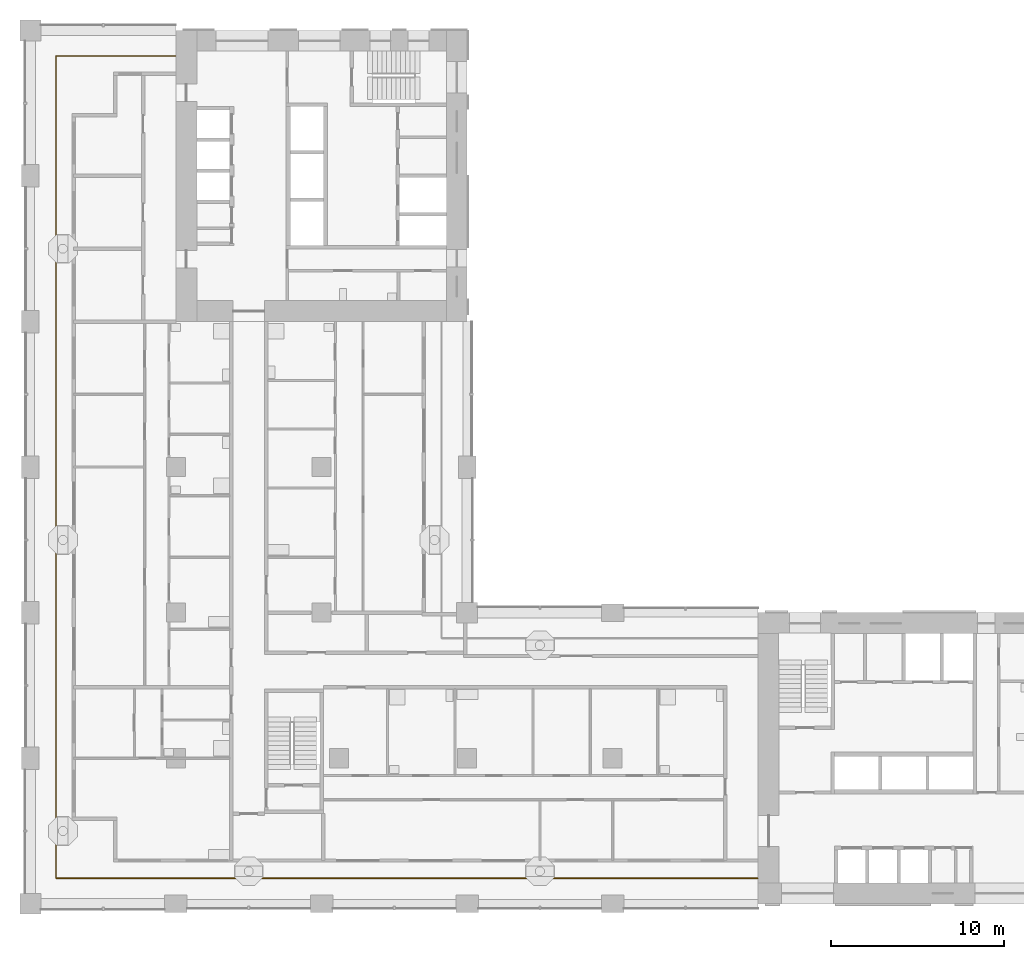
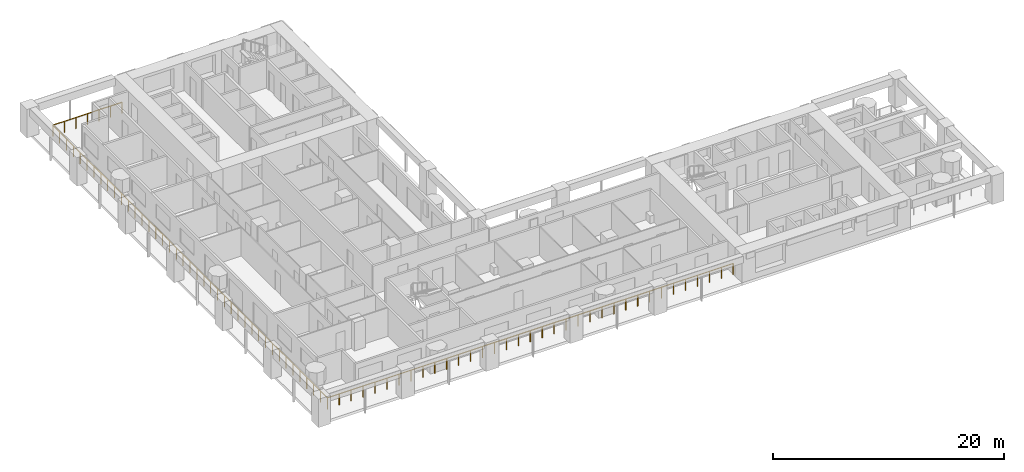
# One storey, part 10 of 18: 1 railing.
"""IFC4 building model written with IfcOpenShell, lengths in metres."""

from ifc_helpers import new_model, si_unit, direction, frame, origin, origin_2d, place, context, subcontext, project, spatial, circle, extrude, material, type_object, element, save


model = new_model("IFC4")

# Units and contexts
model_context = context("Model", 3, precision=1e-05, world=origin(), true_north=direction((0.0, 1.0)))
body_context = subcontext(model_context, "Body", "Model", "MODEL_VIEW")
ifc_project = project(units=[si_unit("LENGTHUNIT", "METRE"), si_unit("AREAUNIT", "SQUARE_METRE"), si_unit("VOLUMEUNIT", "CUBIC_METRE"), si_unit("PLANEANGLEUNIT", "RADIAN"), si_unit("MASSUNIT", "GRAM", prefix="KILO")], contexts=[model_context])

# Site, building, storey
site_placement = place(None, origin())
site = spatial("IfcSite", under=ifc_project, at=site_placement, CompositionType="ELEMENT")
building_placement = place(site_placement, origin())
building = spatial("IfcBuilding", under=site, at=building_placement, Name="Vermilion Gate Residences", CompositionType="ELEMENT")
storey_placement = place(building_placement, frame((0.0, 0.0, 137.199951171875)))
storey = spatial("IfcBuildingStorey", under=building, at=storey_placement, Name="L35", CompositionType="ELEMENT", Elevation=137.199951171875)

# Railing
ifc_material = material(Name="Stainless steel and toughened glass", Category="steel")
railing_type = type_object("IfcRailingType", Name="LOGGIA GUARD STEEL AND GLASS 1200", PredefinedType="GUARDRAIL", material=ifc_material)
railing_placement = place(storey_placement, frame((8.3779296875, 57.324951171875, 0.0)))
element("IfcRailing", 1, at=railing_placement, inside=storey, type_object=railing_type, Name="Loggia guard", PredefinedType="GUARDRAIL", context=body_context, shape_type="SweptSolid", body=[
    extrude(circle(Radius=0.030029296875, at=origin_2d()), frame((0.0, 0.0, 1.169921875), z_axis=(-1.0, 0.0, 0.0), x_axis=(0.0, -1.0, 0.0)), (0.0, 0.0, 1.0), 6.90283203125),
    extrude(circle(Radius=0.030029296875, at=origin_2d()), frame((-6.90283203125, 0.0, 1.169921875), z_axis=(0.0, -1.0, 0.0), x_axis=(1.0, 0.0, 0.0)), (0.0, 0.0, 1.0), 47.449951171875),
    extrude(circle(Radius=0.030029296875, at=origin_2d()), frame((-6.90283203125, -47.449951171875, 1.169921875), z_axis=(1.0, 0.0, 0.0), x_axis=(0.0, 1.0, 0.0)), (0.0, 0.0, 1.0), 40.5029296875),
    extrude(circle(Radius=0.02490234375, at=origin_2d()), origin(), (0.0, 0.0, 1.0), 1.139892578125),
    extrude(circle(Radius=0.02490234375, at=origin_2d()), frame((-1.150390625, 0.0, 0.0)), (0.0, 0.0, 1.0), 1.139892578125),
    extrude(circle(Radius=0.02490234375, at=origin_2d()), frame((-2.301025390625, 0.0, 0.0)), (0.0, 0.0, 1.0), 1.139892578125),
    extrude(circle(Radius=0.02490234375, at=origin_2d()), frame((-3.451416015625, 0.0, 0.0)), (0.0, 0.0, 1.0), 1.139892578125),
    extrude(circle(Radius=0.02490234375, at=origin_2d()), frame((-4.601806640625, 0.0, 0.0)), (0.0, 0.0, 1.0), 1.139892578125),
    extrude(circle(Radius=0.02490234375, at=origin_2d()), frame((-5.75244140625, 0.0, 0.0)), (0.0, 0.0, 1.0), 1.139892578125),
    extrude(circle(Radius=0.02490234375, at=origin_2d()), frame((-6.90283203125, 0.0, 0.0)), (0.0, 0.0, 1.0), 1.139892578125),
    extrude(circle(Radius=0.02490234375, at=origin_2d()), frame((-6.90283203125, -1.186279296875, 0.0)), (0.0, 0.0, 1.0), 1.139892578125),
    extrude(circle(Radius=0.02490234375, at=origin_2d()), frame((-6.90283203125, -2.37255859375, 0.0)), (0.0, 0.0, 1.0), 1.139892578125),
    extrude(circle(Radius=0.02490234375, at=origin_2d()), frame((-6.90283203125, -3.558837890625, 0.0)), (0.0, 0.0, 1.0), 1.139892578125),
    extrude(circle(Radius=0.02490234375, at=origin_2d()), frame((-6.90283203125, -4.7451171875, 0.0)), (0.0, 0.0, 1.0), 1.139892578125),
    extrude(circle(Radius=0.02490234375, at=origin_2d()), frame((-6.90283203125, -5.93115234375, 0.0)), (0.0, 0.0, 1.0), 1.139892578125),
    extrude(circle(Radius=0.02490234375, at=origin_2d()), frame((-6.90283203125, -7.117431640625, 0.0)), (0.0, 0.0, 1.0), 1.139892578125),
    extrude(circle(Radius=0.02490234375, at=origin_2d()), frame((-6.90283203125, -8.3037109375, 0.0)), (0.0, 0.0, 1.0), 1.139892578125),
    extrude(circle(Radius=0.02490234375, at=origin_2d()), frame((-6.90283203125, -9.489990234375, 0.0)), (0.0, 0.0, 1.0), 1.139892578125),
    extrude(circle(Radius=0.02490234375, at=origin_2d()), frame((-6.90283203125, -10.67626953125, 0.0)), (0.0, 0.0, 1.0), 1.139892578125),
    extrude(circle(Radius=0.02490234375, at=origin_2d()), frame((-6.90283203125, -11.862548828125, 0.0)), (0.0, 0.0, 1.0), 1.139892578125),
    extrude(circle(Radius=0.02490234375, at=origin_2d()), frame((-6.90283203125, -13.048828125, 0.0)), (0.0, 0.0, 1.0), 1.139892578125),
    extrude(circle(Radius=0.02490234375, at=origin_2d()), frame((-6.90283203125, -14.23486328125, 0.0)), (0.0, 0.0, 1.0), 1.139892578125),
    extrude(circle(Radius=0.02490234375, at=origin_2d()), frame((-6.90283203125, -15.421142578125, 0.0)), (0.0, 0.0, 1.0), 1.139892578125),
    extrude(circle(Radius=0.02490234375, at=origin_2d()), frame((-6.90283203125, -16.607421875, 0.0)), (0.0, 0.0, 1.0), 1.139892578125),
    extrude(circle(Radius=0.02490234375, at=origin_2d()), frame((-6.90283203125, -17.793701171875, 0.0)), (0.0, 0.0, 1.0), 1.139892578125),
    extrude(circle(Radius=0.02490234375, at=origin_2d()), frame((-6.90283203125, -18.97998046875, 0.0)), (0.0, 0.0, 1.0), 1.139892578125),
    extrude(circle(Radius=0.02490234375, at=origin_2d()), frame((-6.90283203125, -20.166259765625, 0.0)), (0.0, 0.0, 1.0), 1.139892578125),
    extrude(circle(Radius=0.02490234375, at=origin_2d()), frame((-6.90283203125, -21.3525390625, 0.0)), (0.0, 0.0, 1.0), 1.139892578125),
    extrude(circle(Radius=0.02490234375, at=origin_2d()), frame((-6.90283203125, -22.538818359375, 0.0)), (0.0, 0.0, 1.0), 1.139892578125),
    extrude(circle(Radius=0.02490234375, at=origin_2d()), frame((-6.90283203125, -23.72509765625, 0.0)), (0.0, 0.0, 1.0), 1.139892578125),
    extrude(circle(Radius=0.02490234375, at=origin_2d()), frame((-6.90283203125, -24.9111328125, 0.0)), (0.0, 0.0, 1.0), 1.139892578125),
    extrude(circle(Radius=0.02490234375, at=origin_2d()), frame((-6.90283203125, -26.097412109375, 0.0)), (0.0, 0.0, 1.0), 1.139892578125),
    extrude(circle(Radius=0.02490234375, at=origin_2d()), frame((-6.90283203125, -27.28369140625, 0.0)), (0.0, 0.0, 1.0), 1.139892578125),
    extrude(circle(Radius=0.02490234375, at=origin_2d()), frame((-6.90283203125, -28.469970703125, 0.0)), (0.0, 0.0, 1.0), 1.139892578125),
    extrude(circle(Radius=0.02490234375, at=origin_2d()), frame((-6.90283203125, -29.65625, 0.0)), (0.0, 0.0, 1.0), 1.139892578125),
    extrude(circle(Radius=0.02490234375, at=origin_2d()), frame((-6.90283203125, -30.842529296875, 0.0)), (0.0, 0.0, 1.0), 1.139892578125),
    extrude(circle(Radius=0.02490234375, at=origin_2d()), frame((-6.90283203125, -32.02880859375, 0.0)), (0.0, 0.0, 1.0), 1.139892578125),
    extrude(circle(Radius=0.02490234375, at=origin_2d()), frame((-6.90283203125, -33.21484375, 0.0)), (0.0, 0.0, 1.0), 1.139892578125),
    extrude(circle(Radius=0.02490234375, at=origin_2d()), frame((-6.90283203125, -34.401123046875, 0.0)), (0.0, 0.0, 1.0), 1.139892578125),
    extrude(circle(Radius=0.02490234375, at=origin_2d()), frame((-6.90283203125, -35.58740234375, 0.0)), (0.0, 0.0, 1.0), 1.139892578125),
    extrude(circle(Radius=0.02490234375, at=origin_2d()), frame((-6.90283203125, -36.773681640625, 0.0)), (0.0, 0.0, 1.0), 1.139892578125),
    extrude(circle(Radius=0.02490234375, at=origin_2d()), frame((-6.90283203125, -37.9599609375, 0.0)), (0.0, 0.0, 1.0), 1.139892578125),
    extrude(circle(Radius=0.02490234375, at=origin_2d()), frame((-6.90283203125, -39.146240234375, 0.0)), (0.0, 0.0, 1.0), 1.139892578125),
    extrude(circle(Radius=0.02490234375, at=origin_2d()), frame((-6.90283203125, -40.33251953125, 0.0)), (0.0, 0.0, 1.0), 1.139892578125),
    extrude(circle(Radius=0.02490234375, at=origin_2d()), frame((-6.90283203125, -41.518798828125, 0.0)), (0.0, 0.0, 1.0), 1.139892578125),
    extrude(circle(Radius=0.02490234375, at=origin_2d()), frame((-6.90283203125, -42.705078125, 0.0)), (0.0, 0.0, 1.0), 1.139892578125),
    extrude(circle(Radius=0.02490234375, at=origin_2d()), frame((-6.90283203125, -43.89111328125, 0.0)), (0.0, 0.0, 1.0), 1.139892578125),
    extrude(circle(Radius=0.02490234375, at=origin_2d()), frame((-6.90283203125, -45.077392578125, 0.0)), (0.0, 0.0, 1.0), 1.139892578125),
    extrude(circle(Radius=0.02490234375, at=origin_2d()), frame((-6.90283203125, -46.263671875, 0.0)), (0.0, 0.0, 1.0), 1.139892578125),
    extrude(circle(Radius=0.02490234375, at=origin_2d()), frame((-6.90283203125, -47.449951171875, 0.0)), (0.0, 0.0, 1.0), 1.139892578125),
    extrude(circle(Radius=0.02490234375, at=origin_2d()), frame((-5.711669921875, -47.449951171875, 0.0)), (0.0, 0.0, 1.0), 1.139892578125),
    extrude(circle(Radius=0.02490234375, at=origin_2d()), frame((-4.520263671875, -47.449951171875, 0.0)), (0.0, 0.0, 1.0), 1.139892578125),
    extrude(circle(Radius=0.02490234375, at=origin_2d()), frame((-3.3291015625, -47.449951171875, 0.0)), (0.0, 0.0, 1.0), 1.139892578125),
    extrude(circle(Radius=0.02490234375, at=origin_2d()), frame((-2.1376953125, -47.449951171875, 0.0)), (0.0, 0.0, 1.0), 1.139892578125),
    extrude(circle(Radius=0.02490234375, at=origin_2d()), frame((-0.946533203125, -47.449951171875, 0.0)), (0.0, 0.0, 1.0), 1.139892578125),
    extrude(circle(Radius=0.02490234375, at=origin_2d()), frame((0.24462890625, -47.449951171875, 0.0)), (0.0, 0.0, 1.0), 1.139892578125),
    extrude(circle(Radius=0.02490234375, at=origin_2d()), frame((1.43603515625, -47.449951171875, 0.0)), (0.0, 0.0, 1.0), 1.139892578125),
    extrude(circle(Radius=0.02490234375, at=origin_2d()), frame((2.627197265625, -47.449951171875, 0.0)), (0.0, 0.0, 1.0), 1.139892578125),
    extrude(circle(Radius=0.02490234375, at=origin_2d()), frame((3.818603515625, -47.449951171875, 0.0)), (0.0, 0.0, 1.0), 1.139892578125),
    extrude(circle(Radius=0.02490234375, at=origin_2d()), frame((5.009765625, -47.449951171875, 0.0)), (0.0, 0.0, 1.0), 1.139892578125),
    extrude(circle(Radius=0.02490234375, at=origin_2d()), frame((6.201171875, -47.449951171875, 0.0)), (0.0, 0.0, 1.0), 1.139892578125),
    extrude(circle(Radius=0.02490234375, at=origin_2d()), frame((7.392333984375, -47.449951171875, 0.0)), (0.0, 0.0, 1.0), 1.139892578125),
    extrude(circle(Radius=0.02490234375, at=origin_2d()), frame((8.58349609375, -47.449951171875, 0.0)), (0.0, 0.0, 1.0), 1.139892578125),
    extrude(circle(Radius=0.02490234375, at=origin_2d()), frame((9.77490234375, -47.449951171875, 0.0)), (0.0, 0.0, 1.0), 1.139892578125),
    extrude(circle(Radius=0.02490234375, at=origin_2d()), frame((10.966064453125, -47.449951171875, 0.0)), (0.0, 0.0, 1.0), 1.139892578125),
    extrude(circle(Radius=0.02490234375, at=origin_2d()), frame((12.157470703125, -47.449951171875, 0.0)), (0.0, 0.0, 1.0), 1.139892578125),
    extrude(circle(Radius=0.02490234375, at=origin_2d()), frame((13.3486328125, -47.449951171875, 0.0)), (0.0, 0.0, 1.0), 1.139892578125),
    extrude(circle(Radius=0.02490234375, at=origin_2d()), frame((14.539794921875, -47.449951171875, 0.0)), (0.0, 0.0, 1.0), 1.139892578125),
    extrude(circle(Radius=0.02490234375, at=origin_2d()), frame((15.731201171875, -47.449951171875, 0.0)), (0.0, 0.0, 1.0), 1.139892578125),
    extrude(circle(Radius=0.02490234375, at=origin_2d()), frame((16.92236328125, -47.449951171875, 0.0)), (0.0, 0.0, 1.0), 1.139892578125),
    extrude(circle(Radius=0.02490234375, at=origin_2d()), frame((18.11376953125, -47.449951171875, 0.0)), (0.0, 0.0, 1.0), 1.139892578125),
    extrude(circle(Radius=0.02490234375, at=origin_2d()), frame((19.304931640625, -47.449951171875, 0.0)), (0.0, 0.0, 1.0), 1.139892578125),
    extrude(circle(Radius=0.02490234375, at=origin_2d()), frame((20.49609375, -47.449951171875, 0.0)), (0.0, 0.0, 1.0), 1.139892578125),
    extrude(circle(Radius=0.02490234375, at=origin_2d()), frame((21.6875, -47.449951171875, 0.0)), (0.0, 0.0, 1.0), 1.139892578125),
    extrude(circle(Radius=0.02490234375, at=origin_2d()), frame((22.878662109375, -47.449951171875, 0.0)), (0.0, 0.0, 1.0), 1.139892578125),
    extrude(circle(Radius=0.02490234375, at=origin_2d()), frame((24.070068359375, -47.449951171875, 0.0)), (0.0, 0.0, 1.0), 1.139892578125),
    extrude(circle(Radius=0.02490234375, at=origin_2d()), frame((25.26123046875, -47.449951171875, 0.0)), (0.0, 0.0, 1.0), 1.139892578125),
    extrude(circle(Radius=0.02490234375, at=origin_2d()), frame((26.45263671875, -47.449951171875, 0.0)), (0.0, 0.0, 1.0), 1.139892578125),
    extrude(circle(Radius=0.02490234375, at=origin_2d()), frame((27.643798828125, -47.449951171875, 0.0)), (0.0, 0.0, 1.0), 1.139892578125),
    extrude(circle(Radius=0.02490234375, at=origin_2d()), frame((28.8349609375, -47.449951171875, 0.0)), (0.0, 0.0, 1.0), 1.139892578125),
    extrude(circle(Radius=0.02490234375, at=origin_2d()), frame((30.0263671875, -47.449951171875, 0.0)), (0.0, 0.0, 1.0), 1.139892578125),
    extrude(circle(Radius=0.02490234375, at=origin_2d()), frame((31.217529296875, -47.449951171875, 0.0)), (0.0, 0.0, 1.0), 1.139892578125),
    extrude(circle(Radius=0.02490234375, at=origin_2d()), frame((32.408935546875, -47.449951171875, 0.0)), (0.0, 0.0, 1.0), 1.139892578125),
    extrude(circle(Radius=0.02490234375, at=origin_2d()), frame((33.60009765625, -47.449951171875, 0.0)), (0.0, 0.0, 1.0), 1.139892578125),
])

save(model, "model.ifc")
